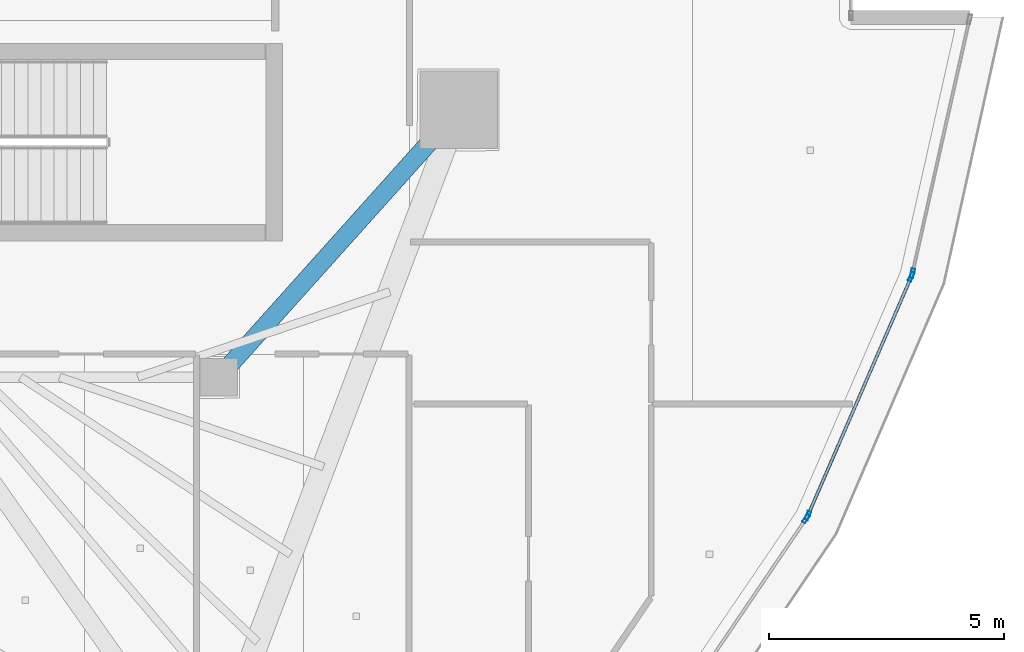
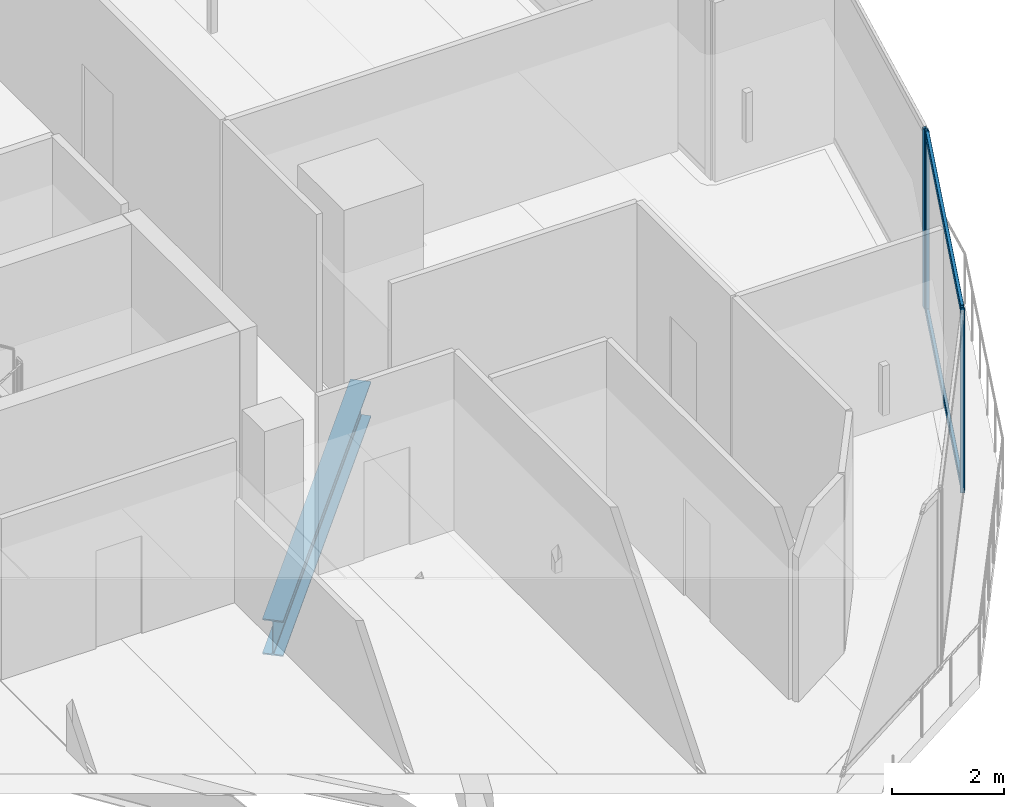
# One storey, part 12 of 33: 6 members, 1 beam, 3 elements without a shape of their own.
"""IFC4 building model written with IfcOpenShell, lengths in metres."""

import ifcopenshell
import ifcopenshell.guid

model = None  # the IFC model being written
_history = None  # IfcOwnerHistory: only IFC2X3 demands one
_inside = {}  # id of a spatial element -> (the spatial element, [elements in it])
_under = {}  # id of a project, library or spatial element -> (it, [spatial elements below it])
_declared = {}  # id of a project -> (the project, [libraries it declares])
_typed = {}  # id of a type object -> (the type object, [elements of that type])
_made_of = {}  # id of a material, layer set ... -> (it, [elements and type objects made of it])


def new_model(schema):
    """Start an empty IFC model of exactly this schema.

    Asked for "IFC4X3", IfcOpenShell would pick the latest addendum, in which some entities
    have other attributes; the version numbers below select the first issue.
    IFC2X3 requires an IfcOwnerHistory on every rooted entity: one is made here for all.
    """
    global model, _history
    if schema == "IFC4X3":
        model = ifcopenshell.file(schema_version=(4, 3, 0, 0))
    else:
        model = ifcopenshell.file(schema=schema)
    _inside.clear()
    _under.clear()
    _declared.clear()
    _typed.clear()
    _made_of.clear()
    _history = None
    if model.schema == "IFC2X3":
        org = make("IfcOrganization", Name="unknown")
        user = make(
            "IfcPersonAndOrganization",
            ThePerson=make("IfcPerson", FamilyName="unknown"),
            TheOrganization=org,
        )
        app = make(
            "IfcApplication",
            ApplicationDeveloper=org,
            Version="unknown",
            ApplicationFullName="unknown",
            ApplicationIdentifier="unknown",
        )
        _history = make(
            "IfcOwnerHistory",
            OwningUser=user,
            OwningApplication=app,
            ChangeAction="ADDED",
            CreationDate=0,
        )
    return model


def make(cls, **values):
    """One entity of the class cls with the attributes given. An attribute that is None is left unset."""
    return model.create_entity(
        cls, **{name: value for name, value in values.items() if value is not None}
    )


def rooted(cls, **values):
    """An entity with a GlobalId (a new one), such as an element, a storey or a relation."""
    return make(cls, GlobalId=ifcopenshell.guid.new(), OwnerHistory=_history, **values)


def si_unit(unit_type, name, prefix=None):
    """IfcSIUnit, for example si_unit("LENGTHUNIT", "METRE", prefix="MILLI")."""
    return make("IfcSIUnit", UnitType=unit_type, Prefix=prefix, Name=name)


def assignment(units):
    """IfcUnitAssignment: the units of a project."""
    return None if units is None else make("IfcUnitAssignment", Units=units)


def point(xyz):
    """IfcCartesianPoint."""
    return None if xyz is None else make("IfcCartesianPoint", Coordinates=xyz)


def direction(xyz):
    """IfcDirection."""
    return None if xyz is None else make("IfcDirection", DirectionRatios=xyz)


def frame(location, z_axis=None, x_axis=None):
    """IfcAxis2Placement3D, a coordinate frame: its origin and axes. An axis left out is left unset."""
    return make(
        "IfcAxis2Placement3D",
        Location=point(location),
        Axis=direction(z_axis),
        RefDirection=direction(x_axis),
    )


def frame_2d(location, x_axis=None):
    """IfcAxis2Placement2D, a coordinate frame in the plane: its origin and x axis."""
    return make(
        "IfcAxis2Placement2D", Location=point(location), RefDirection=direction(x_axis)
    )


def origin():
    """The frame at (0, 0, 0) with its axes left unset."""
    return frame((0.0, 0.0, 0.0))


def origin_2d():
    """The frame at (0, 0) in the plane with its x axis left unset."""
    return frame_2d((0.0, 0.0))


def place(relative_to, where):
    """IfcLocalPlacement: puts the frame where relative to a parent placement (None: the world)."""
    return make(
        "IfcLocalPlacement", PlacementRelTo=relative_to, RelativePlacement=where
    )


def context(
    kind, dimensions, precision=None, world=None, true_north=None, identifier=None
):
    """IfcGeometricRepresentationContext, for example the 3D "Model" context."""
    return make(
        "IfcGeometricRepresentationContext",
        ContextIdentifier=identifier,
        ContextType=kind,
        CoordinateSpaceDimension=dimensions,
        Precision=precision,
        WorldCoordinateSystem=world,
        TrueNorth=true_north,
    )


def subcontext(parent, identifier, kind, view, scale=None):
    """IfcGeometricRepresentationSubContext, for example "Body" below "Model"."""
    return make(
        "IfcGeometricRepresentationSubContext",
        ContextIdentifier=identifier,
        ContextType=kind,
        ParentContext=parent,
        TargetScale=scale,
        TargetView=view,
    )


def project(units=None, contexts=None):
    """IfcProject with its units and contexts."""
    return rooted(
        "IfcProject",
        Name="project",
        RepresentationContexts=contexts,
        UnitsInContext=assignment(units),
    )


def spatial(cls, under=None, at=None, **own):
    """A site, building, storey or space (cls), placed at a placement, below another one or the project."""
    s = rooted(cls, ObjectPlacement=at, **own)
    if under is not None:
        _under.setdefault(under.id(), (under, []))[1].append(s)
    return s


def profile(cls, at=None, kind="AREA", **sizes):
    """A parametric profile (cls). Its sizes go by their IFC names, for example OverallWidth=200.0."""
    return make(cls, ProfileType=kind, Position=at, **sizes)


def hollow_rectangle(**sizes):
    """IfcRectangleHollowProfileDef."""
    return profile("IfcRectangleHollowProfileDef", **sizes)


def i_section(**sizes):
    """IfcIShapeProfileDef."""
    return profile("IfcIShapeProfileDef", **sizes)


def extrude(swept, where, along, depth):
    """IfcExtrudedAreaSolid: the profile swept, set in the frame where, extruded along a direction by depth."""
    return make(
        "IfcExtrudedAreaSolid",
        SweptArea=swept,
        Position=where,
        ExtrudedDirection=direction(along),
        Depth=depth,
    )


def shape(context_of_items, identifier, shape_type, items):
    """IfcShapeRepresentation: the items that make up one representation, for example the "Body"."""
    return make(
        "IfcShapeRepresentation",
        ContextOfItems=context_of_items,
        RepresentationIdentifier=identifier,
        RepresentationType=shape_type,
        Items=items,
    )


def material(Name=None, Category=None):
    """IfcMaterial."""
    return make("IfcMaterial", Name=Name, Category=Category)


def layer(
    of_material, thickness, ventilated=None, Name=None, Category=None, Priority=None
):
    """IfcMaterialLayer: one layer of a wall or slab, of a material (None: an air gap)."""
    return make(
        "IfcMaterialLayer",
        Material=of_material,
        LayerThickness=thickness,
        IsVentilated=ventilated,
        Name=Name,
        Category=Category,
        Priority=Priority,
    )


def layer_set(layers, Name=None):
    """IfcMaterialLayerSet."""
    return make("IfcMaterialLayerSet", MaterialLayers=layers, LayerSetName=Name)


def material_profile(
    of_material, cross_section, Name=None, Category=None, Priority=None
):
    """IfcMaterialProfile: a cross section and its material."""
    return make(
        "IfcMaterialProfile",
        Name=Name,
        Material=of_material,
        Profile=cross_section,
        Priority=Priority,
        Category=Category,
    )


def profile_set(profiles, Name=None, composite=None):
    """IfcMaterialProfileSet."""
    return make(
        "IfcMaterialProfileSet",
        Name=Name,
        MaterialProfiles=profiles,
        CompositeProfile=composite,
    )


def made_of(thing, what):
    """Note that an element or type object is made of a material, layer set ...; save() writes the relation."""
    if what is not None:
        _made_of.setdefault(what.id(), (what, []))[1].append(thing)
    return thing


def type_object(cls, material=None, **own):
    """A type object (cls), such as IfcWallType, which elements share."""
    return made_of(rooted(cls, **own), material)


def element(
    cls,
    number,
    at=None,
    inside=None,
    cuts=None,
    type_object=None,
    material=None,
    context=None,
    identifier="Body",
    shape_type=None,
    held_by="IfcProductDefinitionShape",
    body=None,
    shapes=None,
    **own,
):
    """One element of the class cls, such as IfcWall. Its Tag is "e" and its number.

    at: its placement. inside: the storey or other place that contains it. cuts: it is an
    opening in that element (IfcRelVoidsElement). A single representation is given by context,
    identifier, shape_type and body (its items); several are given by shapes. held_by: the class
    of the entity that holds the representations. save() writes the other relations.
    """
    e = rooted(cls, Tag="e%d" % number, ObjectPlacement=at, **own)
    if body is not None:
        shapes = [shape(context, identifier, shape_type, body)]
    if shapes is not None:
        e.Representation = make(held_by, Representations=shapes)
    if inside is not None:
        _inside.setdefault(inside.id(), (inside, []))[1].append(e)
    if cuts is not None:
        rooted(
            "IfcRelVoidsElement", RelatingBuildingElement=cuts, RelatedOpeningElement=e
        )
    if type_object is not None:
        _typed.setdefault(type_object.id(), (type_object, []))[1].append(e)
    return made_of(e, material)


def aggregate(whole, parts):
    """IfcRelAggregates: a whole, such as a stair, and the parts it consists of."""
    return rooted("IfcRelAggregates", RelatingObject=whole, RelatedObjects=parts)


def save(model, path):
    """Write the relations noted so far, then the file.

    IfcRelAggregates (storeys below a building ...), IfcRelContainedInSpatialStructure (elements
    in a storey), IfcRelDefinesByType, IfcRelAssociatesMaterial and IfcRelDeclares: one each for
    every whole, place, type object, material and project.
    """
    for whole, parts in _under.values():
        aggregate(whole, parts)
    for where, things in _inside.values():
        rooted(
            "IfcRelContainedInSpatialStructure",
            RelatedElements=things,
            RelatingStructure=where,
        )
    for kind, things in _typed.values():
        rooted("IfcRelDefinesByType", RelatedObjects=things, RelatingType=kind)
    for what, things in _made_of.values():
        rooted("IfcRelAssociatesMaterial", RelatedObjects=things, RelatingMaterial=what)
    for by, libraries in _declared.values():
        rooted("IfcRelDeclares", RelatingContext=by, RelatedDefinitions=libraries)
    model.write(path)


model = new_model("IFC4")

# Units and contexts
model_context = context("Model", 3, precision=1e-05, world=origin(), true_north=direction((0.0, 1.0)))
body_context = subcontext(model_context, "Body", "Model", "MODEL_VIEW")
ifc_project = project(units=[si_unit("LENGTHUNIT", "METRE"), si_unit("AREAUNIT", "SQUARE_METRE"), si_unit("VOLUMEUNIT", "CUBIC_METRE"), si_unit("PLANEANGLEUNIT", "RADIAN"), si_unit("MASSUNIT", "GRAM", prefix="KILO")], contexts=[model_context])

# Site, building, storey
site_placement = place(None, origin())
site = spatial("IfcSite", under=ifc_project, at=site_placement, CompositionType="ELEMENT")
building_placement = place(site_placement, origin())
building = spatial("IfcBuilding", under=site, at=building_placement, Name="Qorvath Tower", CompositionType="ELEMENT")
storey_placement = place(building_placement, frame((0.0, 0.0, 280.800048828125)))
storey = spatial("IfcBuildingStorey", under=building, at=storey_placement, Name="L65", CompositionType="ELEMENT", Elevation=280.800048828125)

# Beam
ifc_material_1 = material(Name="Steel ASTM A992 Grade 50", Category="steel")
ifc_material_profile_1 = material_profile(ifc_material_1, i_section(OverallWidth=0.381103515625, OverallDepth=0.77294921875, WebThickness=0.0166015625, FlangeThickness=0.027099609375, FilletRadius=0.01904296875, at=origin_2d()), Name="W30x173")
ifc_profile_set_1 = profile_set([ifc_material_profile_1], Name="Steel ASTM A992 Grade 50")
beam_type = type_object("IfcBeamType", Name="BM-FG3", PredefinedType="BEAM", material=ifc_profile_set_1)
beam_placement = place(storey_placement, frame((-17.199951171875, -11.449951171875, -0.676513671875), z_axis=(0.667543184261, 0.744571082669, 0.0), x_axis=(-0.744571082669, 0.667543184261, 0.0)))
element("IfcBeam", 1, at=beam_placement, inside=storey, type_object=beam_type, Name="Radial Floor Girder CC3-MC4 L65", PredefinedType="BEAM", context=body_context, shape_type="SweptSolid", body=[
    extrude(i_section(OverallWidth=0.381103515625, OverallDepth=0.77294921875, WebThickness=0.0166015625, FlangeThickness=0.027099609375, FilletRadius=0.01904296875, at=origin_2d()), origin(), (0.0, 0.0, 1.0), 7.644775390625),
])

# Curtain wall, member
ifc_material_2 = material(Name="Anodised aluminium and triple low-E glass", Category="aluminium")
ifc_layer = layer(ifc_material_2, 0.179931640625)
ifc_layer_set = layer_set([ifc_layer], Name="CW-SYS-4")
curtain_wall_type = type_object("IfcCurtainWallType", Name="CW-SYS-4", PredefinedType="NOTDEFINED", material=ifc_layer_set)
curtain_wall_1_placement = place(storey_placement, origin())
curtain_wall_1 = element("IfcCurtainWall", 2, at=curtain_wall_1_placement, inside=storey, type_object=curtain_wall_type, Name="Curtain Wall CW-4 CW-T-L65-5.1", PredefinedType="NOTDEFINED")
ifc_material_3 = material(Name="Anodised aluminium 6063-T6", Category="aluminium")
ifc_material_profile_2 = material_profile(ifc_material_3, hollow_rectangle(XDim=0.074951171875, YDim=0.199951171875, WallThickness=0.00390625, InnerFilletRadius=0.00390625, OuterFilletRadius=0.008056640625, at=origin_2d()), Name="CWM 200x75")
ifc_profile_set_2 = profile_set([ifc_material_profile_2], Name="Anodised aluminium 6063-T6")
member_type_1 = type_object("IfcMemberType", Name="CWM-200", PredefinedType="MULLION", material=ifc_profile_set_2)
member_1_placement = place(storey_placement, frame((-4.693603515625, -14.4658203125, 0.0), z_axis=(0.0, 0.0, 1.0), x_axis=(-0.827205303431, 0.561899800655, 0.0)))
member_1 = element("IfcMember", 3, at=member_1_placement, type_object=member_type_1, Name="CW-4 mullion 2", PredefinedType="MULLION", context=body_context, shape_type="SweptSolid", body=[
    extrude(hollow_rectangle(XDim=0.074951171875, YDim=0.199951171875, WallThickness=0.00390625, InnerFilletRadius=0.00390625, OuterFilletRadius=0.008056640625, at=origin_2d()), origin(), (0.0, 0.0, 1.0), 3.909912109375),
])
aggregate(curtain_wall_1, [member_1])

# Curtain wall, members
curtain_wall_2_placement = place(storey_placement, origin())
curtain_wall_2 = element("IfcCurtainWall", 4, at=curtain_wall_2_placement, inside=storey, type_object=curtain_wall_type, Name="Curtain Wall CW-4 CW-T-L65-6.1", PredefinedType="NOTDEFINED")
member_2_placement = place(storey_placement, frame((-4.65771484375, -14.400390625, 0.0), z_axis=(0.0, 0.0, 1.0), x_axis=(-0.917609911425, 0.397482138535, 0.0)))
member_2 = element("IfcMember", 5, at=member_2_placement, type_object=member_type_1, Name="CW-4 mullion 1", PredefinedType="MULLION", context=body_context, shape_type="SweptSolid", body=[
    extrude(hollow_rectangle(XDim=0.074951171875, YDim=0.199951171875, WallThickness=0.00390625, InnerFilletRadius=0.00390625, OuterFilletRadius=0.008056640625, at=origin_2d()), origin(), (0.0, 0.0, 1.0), 3.909912109375),
])
member_3_placement = place(storey_placement, frame((-2.452880859375, -9.310546875, 0.0), z_axis=(0.0, 0.0, 1.0), x_axis=(-0.917609911425, 0.397482138535, 0.0)))
member_3 = element("IfcMember", 6, at=member_3_placement, type_object=member_type_1, Name="CW-4 mullion 2", PredefinedType="MULLION", context=body_context, shape_type="SweptSolid", body=[
    extrude(hollow_rectangle(XDim=0.074951171875, YDim=0.199951171875, WallThickness=0.00390625, InnerFilletRadius=0.00390625, OuterFilletRadius=0.008056640625, at=origin_2d()), origin(), (0.0, 0.0, 1.0), 3.909912109375),
])

# Curtain wall, member
curtain_wall_3_placement = place(storey_placement, origin())
curtain_wall_3 = element("IfcCurtainWall", 7, at=curtain_wall_3_placement, inside=storey, type_object=curtain_wall_type, Name="Curtain Wall CW-4 CW-T-L65-7.1", PredefinedType="NOTDEFINED")
member_4_placement = place(storey_placement, frame((-2.4296875, -9.239501953125, 0.0), z_axis=(0.0, 0.0, 1.0), x_axis=(-0.975723622054, 0.2190055099, 0.0)))
member_4 = element("IfcMember", 8, at=member_4_placement, type_object=member_type_1, Name="CW-4 mullion 1", PredefinedType="MULLION", context=body_context, shape_type="SweptSolid", body=[
    extrude(hollow_rectangle(XDim=0.074951171875, YDim=0.199951171875, WallThickness=0.00390625, InnerFilletRadius=0.00390625, OuterFilletRadius=0.008056640625, at=origin_2d()), origin(), (0.0, 0.0, 1.0), 3.909912109375),
])
aggregate(curtain_wall_3, [member_4])

# Member
ifc_material_4 = material(Name="Anodised aluminium 6063-T6", Category="aluminium")
ifc_material_profile_3 = material_profile(ifc_material_4, hollow_rectangle(XDim=0.06494140625, YDim=0.159912109375, WallThickness=0.00341796875, InnerFilletRadius=0.00341796875, OuterFilletRadius=0.007080078125, at=origin_2d()), Name="CWT 160x65")
ifc_profile_set_3 = profile_set([ifc_material_profile_3], Name="Anodised aluminium 6063-T6")
member_type_2 = type_object("IfcMemberType", Name="CWT-160", PredefinedType="USERDEFINED", material=ifc_profile_set_3)
member_5_placement = place(storey_placement, frame((-4.642822265625, -14.365966796875, 0.032470703125), z_axis=(0.397497247506, 0.917603366507, 0.0), x_axis=(-0.917603366507, 0.397497247506, 0.0)))
member_5 = element("IfcMember", 9, at=member_5_placement, type_object=member_type_2, Name="CW-4 transom 1.1", ObjectType="TRANSOM", PredefinedType="USERDEFINED", context=body_context, shape_type="SweptSolid", body=[
    extrude(hollow_rectangle(XDim=0.06494140625, YDim=0.159912109375, WallThickness=0.00341796875, InnerFilletRadius=0.00341796875, OuterFilletRadius=0.007080078125, at=origin_2d()), origin(), (0.0, 0.0, 1.0), 5.471923828125),
])

member_6_placement = place(storey_placement, frame((-4.642822265625, -14.365966796875, 3.87744140625), z_axis=(0.397497247506, 0.917603366507, 0.0), x_axis=(-0.917603366507, 0.397497247506, 0.0)))
member_6 = element("IfcMember", 10, at=member_6_placement, type_object=member_type_2, Name="CW-4 transom 1.2", ObjectType="TRANSOM", PredefinedType="USERDEFINED", context=body_context, shape_type="SweptSolid", body=[
    extrude(hollow_rectangle(XDim=0.06494140625, YDim=0.159912109375, WallThickness=0.00341796875, InnerFilletRadius=0.00341796875, OuterFilletRadius=0.007080078125, at=origin_2d()), origin(), (0.0, 0.0, 1.0), 5.471923828125),
])

aggregate(curtain_wall_2, [member_2, member_3, member_5, member_6])

save(model, "model.ifc")
